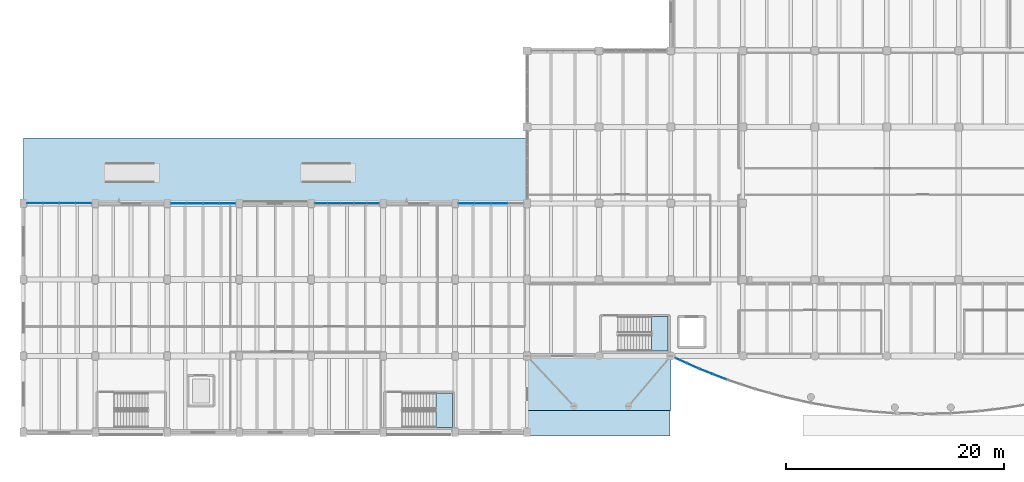
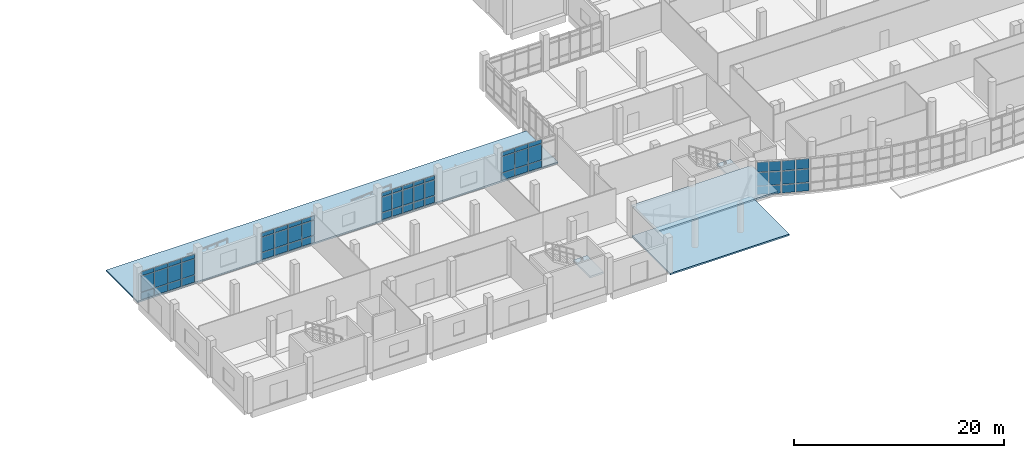
# One storey, part 33 of 69: 60 plates, 5 slabs, 8 elements without a shape of their own.
"""IFC4 building model written with IfcOpenShell, lengths in metres."""

from ifc_helpers import new_model, si_unit, direction, frame, origin, origin_2d, place, context, subcontext, project, spatial, polyline, rectangle, outline, extrude, material, layer, layer_set, type_object, element, aggregate, save


model = new_model("IFC4")

# Units and contexts
model_context = context("Model", 3, precision=1e-05, world=origin(), true_north=direction((0.0, 1.0)))
body_context = subcontext(model_context, "Body", "Model", "MODEL_VIEW")
ifc_project = project(units=[si_unit("LENGTHUNIT", "METRE"), si_unit("AREAUNIT", "SQUARE_METRE"), si_unit("VOLUMEUNIT", "CUBIC_METRE"), si_unit("PLANEANGLEUNIT", "RADIAN"), si_unit("MASSUNIT", "GRAM", prefix="KILO")], contexts=[model_context])

# Site, building, storey
site_placement = place(None, origin())
site = spatial("IfcSite", under=ifc_project, at=site_placement, CompositionType="ELEMENT")
building_placement = place(site_placement, origin())
building = spatial("IfcBuilding", under=site, at=building_placement, Name="Ciguamira Faculty of Natural Sciences", CompositionType="ELEMENT")
storey_placement = place(building_placement, origin())
storey = spatial("IfcBuildingStorey", under=building, at=storey_placement, Name="L00", CompositionType="ELEMENT", Elevation=0.0)

# Curtain wall, plates
ifc_material_1 = material(Name="Anodized aluminium curtain wall", Category="aluminium")
curtain_wall_type_1 = type_object("IfcCurtainWallType", Name="CurtainWall_CW-01", PredefinedType="USERDEFINED", material=ifc_material_1)
curtain_wall_1_placement = place(storey_placement, origin())
curtain_wall_1 = element("IfcCurtainWall", 1, at=curtain_wall_1_placement, inside=storey, type_object=curtain_wall_type_1, Name="L00 unitised curtain wall 0001", ObjectType="UNITISED CURTAIN WALL", PredefinedType="USERDEFINED")
ifc_material_2 = material(Name="Low-E laminated solar glass", Category="glass")
ifc_layer_1 = layer(ifc_material_2, 0.028076171875, Name="Low-E laminated solar glass")
ifc_layer_set_1 = layer_set([ifc_layer_1], Name="Low-E laminated solar glass")
plate_type_1 = type_object("IfcPlateType", Name="CWPanel_CWP-01", PredefinedType="CURTAIN_PANEL", material=ifc_layer_set_1)
plate_1_placement = place(storey_placement, frame((5.56494140625, 24.0, 0.06005859375), z_axis=(0.0, 0.0, 1.0), x_axis=(1.0, 0.0, 0.0)))
plate_1 = element("IfcPlate", 2, at=plate_1_placement, type_object=plate_type_1, Name="CW-01 panel 1.1", PredefinedType="CURTAIN_PANEL", context=body_context, shape_type="SweptSolid", body=[
    extrude(rectangle(XDim=1.409912109375, YDim=0.028076171875, at=origin_2d()), origin(), (0.0, 0.0, 1.0), 0.81005859375),
])
plate_2_placement = place(storey_placement, frame((5.56494140625, 24.0, 0.929931640625), z_axis=(0.0, 0.0, 1.0), x_axis=(1.0, 0.0, 0.0)))
plate_2 = element("IfcPlate", 3, at=plate_2_placement, type_object=plate_type_1, Name="CW-01 panel 1.2", PredefinedType="CURTAIN_PANEL", context=body_context, shape_type="SweptSolid", body=[
    extrude(rectangle(XDim=1.409912109375, YDim=0.028076171875, at=origin_2d()), origin(), (0.0, 0.0, 1.0), 1.8349609375),
])
plate_3_placement = place(storey_placement, frame((5.56494140625, 24.0, 2.824951171875), z_axis=(0.0, 0.0, 1.0), x_axis=(1.0, 0.0, 0.0)))
plate_3 = element("IfcPlate", 4, at=plate_3_placement, type_object=plate_type_1, Name="CW-01 panel 1.3", PredefinedType="CURTAIN_PANEL", context=body_context, shape_type="SweptSolid", body=[
    extrude(rectangle(XDim=1.409912109375, YDim=0.028076171875, at=origin_2d()), origin(), (0.0, 0.0, 1.0), 0.4599609375),
])
plate_4_placement = place(storey_placement, frame((7.050048828125, 24.0, 0.06005859375), z_axis=(0.0, 0.0, 1.0), x_axis=(1.0, 0.0, 0.0)))
plate_4 = element("IfcPlate", 5, at=plate_4_placement, type_object=plate_type_1, Name="CW-01 panel 2.1", PredefinedType="CURTAIN_PANEL", context=body_context, shape_type="SweptSolid", body=[
    extrude(rectangle(XDim=1.43994140625, YDim=0.028076171875, at=origin_2d()), origin(), (0.0, 0.0, 1.0), 0.81005859375),
])
plate_5_placement = place(storey_placement, frame((7.050048828125, 24.0, 0.929931640625), z_axis=(0.0, 0.0, 1.0), x_axis=(1.0, 0.0, 0.0)))
plate_5 = element("IfcPlate", 6, at=plate_5_placement, type_object=plate_type_1, Name="CW-01 panel 2.2", PredefinedType="CURTAIN_PANEL", context=body_context, shape_type="SweptSolid", body=[
    extrude(rectangle(XDim=1.43994140625, YDim=0.028076171875, at=origin_2d()), origin(), (0.0, 0.0, 1.0), 1.8349609375),
])
plate_6_placement = place(storey_placement, frame((7.050048828125, 24.0, 2.824951171875), z_axis=(0.0, 0.0, 1.0), x_axis=(1.0, 0.0, 0.0)))
plate_6 = element("IfcPlate", 7, at=plate_6_placement, type_object=plate_type_1, Name="CW-01 panel 2.3", PredefinedType="CURTAIN_PANEL", context=body_context, shape_type="SweptSolid", body=[
    extrude(rectangle(XDim=1.43994140625, YDim=0.028076171875, at=origin_2d()), origin(), (0.0, 0.0, 1.0), 0.4599609375),
])
plate_7_placement = place(storey_placement, frame((8.550048828125, 24.0, 0.06005859375), z_axis=(0.0, 0.0, 1.0), x_axis=(1.0, 0.0, 0.0)))
plate_7 = element("IfcPlate", 8, at=plate_7_placement, type_object=plate_type_1, Name="CW-01 panel 3.1", PredefinedType="CURTAIN_PANEL", context=body_context, shape_type="SweptSolid", body=[
    extrude(rectangle(XDim=1.43994140625, YDim=0.028076171875, at=origin_2d()), origin(), (0.0, 0.0, 1.0), 0.81005859375),
])
plate_8_placement = place(storey_placement, frame((8.550048828125, 24.0, 0.929931640625), z_axis=(0.0, 0.0, 1.0), x_axis=(1.0, 0.0, 0.0)))
plate_8 = element("IfcPlate", 9, at=plate_8_placement, type_object=plate_type_1, Name="CW-01 panel 3.2", PredefinedType="CURTAIN_PANEL", context=body_context, shape_type="SweptSolid", body=[
    extrude(rectangle(XDim=1.43994140625, YDim=0.028076171875, at=origin_2d()), origin(), (0.0, 0.0, 1.0), 1.8349609375),
])
plate_9_placement = place(storey_placement, frame((8.550048828125, 24.0, 2.824951171875), z_axis=(0.0, 0.0, 1.0), x_axis=(1.0, 0.0, 0.0)))
plate_9 = element("IfcPlate", 10, at=plate_9_placement, type_object=plate_type_1, Name="CW-01 panel 3.3", PredefinedType="CURTAIN_PANEL", context=body_context, shape_type="SweptSolid", body=[
    extrude(rectangle(XDim=1.43994140625, YDim=0.028076171875, at=origin_2d()), origin(), (0.0, 0.0, 1.0), 0.4599609375),
])
plate_10_placement = place(storey_placement, frame((10.034912109375, 24.0, 0.06005859375), z_axis=(0.0, 0.0, 1.0), x_axis=(1.0, 0.0, 0.0)))
plate_10 = element("IfcPlate", 11, at=plate_10_placement, type_object=plate_type_1, Name="CW-01 panel 4.1", PredefinedType="CURTAIN_PANEL", context=body_context, shape_type="SweptSolid", body=[
    extrude(rectangle(XDim=1.409912109375, YDim=0.028076171875, at=origin_2d()), origin(), (0.0, 0.0, 1.0), 0.81005859375),
])
plate_11_placement = place(storey_placement, frame((10.034912109375, 24.0, 0.929931640625), z_axis=(0.0, 0.0, 1.0), x_axis=(1.0, 0.0, 0.0)))
plate_11 = element("IfcPlate", 12, at=plate_11_placement, type_object=plate_type_1, Name="CW-01 panel 4.2", PredefinedType="CURTAIN_PANEL", context=body_context, shape_type="SweptSolid", body=[
    extrude(rectangle(XDim=1.409912109375, YDim=0.028076171875, at=origin_2d()), origin(), (0.0, 0.0, 1.0), 1.8349609375),
])
plate_12_placement = place(storey_placement, frame((10.034912109375, 24.0, 2.824951171875), z_axis=(0.0, 0.0, 1.0), x_axis=(1.0, 0.0, 0.0)))
plate_12 = element("IfcPlate", 13, at=plate_12_placement, type_object=plate_type_1, Name="CW-01 panel 4.3", PredefinedType="CURTAIN_PANEL", context=body_context, shape_type="SweptSolid", body=[
    extrude(rectangle(XDim=1.409912109375, YDim=0.028076171875, at=origin_2d()), origin(), (0.0, 0.0, 1.0), 0.4599609375),
])
aggregate(curtain_wall_1, [plate_1, plate_2, plate_3, plate_4, plate_5, plate_6, plate_7, plate_8, plate_9, plate_10, plate_11, plate_12])

curtain_wall_type_2 = type_object("IfcCurtainWallType", Name="CurtainWall_CW-03", PredefinedType="USERDEFINED", material=ifc_material_1)
curtain_wall_2_placement = place(storey_placement, origin())
curtain_wall_2 = element("IfcCurtainWall", 14, at=curtain_wall_2_placement, inside=storey, type_object=curtain_wall_type_2, Name="L00 unitised curtain wall 0003", ObjectType="UNITISED CURTAIN WALL", PredefinedType="USERDEFINED")
plate_13_placement = place(storey_placement, frame((31.820068359375, 24.0, 0.080078125), z_axis=(0.0, 0.0, 1.0), x_axis=(1.0, 0.0, 0.0)))
plate_13 = element("IfcPlate", 15, at=plate_13_placement, type_object=plate_type_1, Name="CW-03 panel 1.1", PredefinedType="CURTAIN_PANEL", context=body_context, shape_type="SweptSolid", body=[
    extrude(rectangle(XDim=1.080078125, YDim=0.028076171875, at=origin_2d()), origin(), (0.0, 0.0, 1.0), 0.780029296875),
])
plate_14_placement = place(storey_placement, frame((31.820068359375, 24.0, 0.93994140625), z_axis=(0.0, 0.0, 1.0), x_axis=(1.0, 0.0, 0.0)))
plate_14 = element("IfcPlate", 16, at=plate_14_placement, type_object=plate_type_1, Name="CW-03 panel 1.2", PredefinedType="CURTAIN_PANEL", context=body_context, shape_type="SweptSolid", body=[
    extrude(rectangle(XDim=1.080078125, YDim=0.028076171875, at=origin_2d()), origin(), (0.0, 0.0, 1.0), 1.7548828125),
])
plate_15_placement = place(storey_placement, frame((31.820068359375, 24.0, 2.77490234375), z_axis=(0.0, 0.0, 1.0), x_axis=(1.0, 0.0, 0.0)))
plate_15 = element("IfcPlate", 17, at=plate_15_placement, type_object=plate_type_1, Name="CW-03 panel 1.3", PredefinedType="CURTAIN_PANEL", context=body_context, shape_type="SweptSolid", body=[
    extrude(rectangle(XDim=1.080078125, YDim=0.028076171875, at=origin_2d()), origin(), (0.0, 0.0, 1.0), 0.429931640625),
])
plate_16_placement = place(storey_placement, frame((33.0, 24.0, 0.080078125), z_axis=(0.0, 0.0, 1.0), x_axis=(1.0, 0.0, 0.0)))
plate_16 = element("IfcPlate", 18, at=plate_16_placement, type_object=plate_type_1, Name="CW-03 panel 2.1", PredefinedType="CURTAIN_PANEL", context=body_context, shape_type="SweptSolid", body=[
    extrude(rectangle(XDim=1.1201171875, YDim=0.028076171875, at=origin_2d()), origin(), (0.0, 0.0, 1.0), 0.780029296875),
])
plate_17_placement = place(storey_placement, frame((33.0, 24.0, 0.93994140625), z_axis=(0.0, 0.0, 1.0), x_axis=(1.0, 0.0, 0.0)))
plate_17 = element("IfcPlate", 19, at=plate_17_placement, type_object=plate_type_1, Name="CW-03 panel 2.2", PredefinedType="CURTAIN_PANEL", context=body_context, shape_type="SweptSolid", body=[
    extrude(rectangle(XDim=1.1201171875, YDim=0.028076171875, at=origin_2d()), origin(), (0.0, 0.0, 1.0), 1.7548828125),
])
plate_18_placement = place(storey_placement, frame((33.0, 24.0, 2.77490234375), z_axis=(0.0, 0.0, 1.0), x_axis=(1.0, 0.0, 0.0)))
plate_18 = element("IfcPlate", 20, at=plate_18_placement, type_object=plate_type_1, Name="CW-03 panel 2.3", PredefinedType="CURTAIN_PANEL", context=body_context, shape_type="SweptSolid", body=[
    extrude(rectangle(XDim=1.1201171875, YDim=0.028076171875, at=origin_2d()), origin(), (0.0, 0.0, 1.0), 0.429931640625),
])
plate_19_placement = place(storey_placement, frame((34.199951171875, 24.0, 0.080078125), z_axis=(0.0, 0.0, 1.0), x_axis=(1.0, 0.0, 0.0)))
plate_19 = element("IfcPlate", 21, at=plate_19_placement, type_object=plate_type_1, Name="CW-03 panel 3.1", PredefinedType="CURTAIN_PANEL", context=body_context, shape_type="SweptSolid", body=[
    extrude(rectangle(XDim=1.1201171875, YDim=0.028076171875, at=origin_2d()), origin(), (0.0, 0.0, 1.0), 0.780029296875),
])
plate_20_placement = place(storey_placement, frame((34.199951171875, 24.0, 0.93994140625), z_axis=(0.0, 0.0, 1.0), x_axis=(1.0, 0.0, 0.0)))
plate_20 = element("IfcPlate", 22, at=plate_20_placement, type_object=plate_type_1, Name="CW-03 panel 3.2", PredefinedType="CURTAIN_PANEL", context=body_context, shape_type="SweptSolid", body=[
    extrude(rectangle(XDim=1.1201171875, YDim=0.028076171875, at=origin_2d()), origin(), (0.0, 0.0, 1.0), 1.7548828125),
])
plate_21_placement = place(storey_placement, frame((34.199951171875, 24.0, 2.77490234375), z_axis=(0.0, 0.0, 1.0), x_axis=(1.0, 0.0, 0.0)))
plate_21 = element("IfcPlate", 23, at=plate_21_placement, type_object=plate_type_1, Name="CW-03 panel 3.3", PredefinedType="CURTAIN_PANEL", context=body_context, shape_type="SweptSolid", body=[
    extrude(rectangle(XDim=1.1201171875, YDim=0.028076171875, at=origin_2d()), origin(), (0.0, 0.0, 1.0), 0.429931640625),
])
plate_22_placement = place(storey_placement, frame((35.39990234375, 24.0, 0.080078125), z_axis=(0.0, 0.0, 1.0), x_axis=(1.0, 0.0, 0.0)))
plate_22 = element("IfcPlate", 24, at=plate_22_placement, type_object=plate_type_1, Name="CW-03 panel 4.1", PredefinedType="CURTAIN_PANEL", context=body_context, shape_type="SweptSolid", body=[
    extrude(rectangle(XDim=1.1201171875, YDim=0.028076171875, at=origin_2d()), origin(), (0.0, 0.0, 1.0), 0.780029296875),
])
plate_23_placement = place(storey_placement, frame((35.39990234375, 24.0, 0.93994140625), z_axis=(0.0, 0.0, 1.0), x_axis=(1.0, 0.0, 0.0)))
plate_23 = element("IfcPlate", 25, at=plate_23_placement, type_object=plate_type_1, Name="CW-03 panel 4.2", PredefinedType="CURTAIN_PANEL", context=body_context, shape_type="SweptSolid", body=[
    extrude(rectangle(XDim=1.1201171875, YDim=0.028076171875, at=origin_2d()), origin(), (0.0, 0.0, 1.0), 1.7548828125),
])
plate_24_placement = place(storey_placement, frame((35.39990234375, 24.0, 2.77490234375), z_axis=(0.0, 0.0, 1.0), x_axis=(1.0, 0.0, 0.0)))
plate_24 = element("IfcPlate", 26, at=plate_24_placement, type_object=plate_type_1, Name="CW-03 panel 4.3", PredefinedType="CURTAIN_PANEL", context=body_context, shape_type="SweptSolid", body=[
    extrude(rectangle(XDim=1.1201171875, YDim=0.028076171875, at=origin_2d()), origin(), (0.0, 0.0, 1.0), 0.429931640625),
])
plate_25_placement = place(storey_placement, frame((36.580078125, 24.0, 0.080078125), z_axis=(0.0, 0.0, 1.0), x_axis=(1.0, 0.0, 0.0)))
plate_25 = element("IfcPlate", 27, at=plate_25_placement, type_object=plate_type_1, Name="CW-03 panel 5.1", PredefinedType="CURTAIN_PANEL", context=body_context, shape_type="SweptSolid", body=[
    extrude(rectangle(XDim=1.080078125, YDim=0.028076171875, at=origin_2d()), origin(), (0.0, 0.0, 1.0), 0.780029296875),
])
plate_26_placement = place(storey_placement, frame((36.580078125, 24.0, 0.93994140625), z_axis=(0.0, 0.0, 1.0), x_axis=(1.0, 0.0, 0.0)))
plate_26 = element("IfcPlate", 28, at=plate_26_placement, type_object=plate_type_1, Name="CW-03 panel 5.2", PredefinedType="CURTAIN_PANEL", context=body_context, shape_type="SweptSolid", body=[
    extrude(rectangle(XDim=1.080078125, YDim=0.028076171875, at=origin_2d()), origin(), (0.0, 0.0, 1.0), 1.7548828125),
])
plate_27_placement = place(storey_placement, frame((36.580078125, 24.0, 2.77490234375), z_axis=(0.0, 0.0, 1.0), x_axis=(1.0, 0.0, 0.0)))
plate_27 = element("IfcPlate", 29, at=plate_27_placement, type_object=plate_type_1, Name="CW-03 panel 5.3", PredefinedType="CURTAIN_PANEL", context=body_context, shape_type="SweptSolid", body=[
    extrude(rectangle(XDim=1.080078125, YDim=0.028076171875, at=origin_2d()), origin(), (0.0, 0.0, 1.0), 0.429931640625),
])
aggregate(curtain_wall_2, [plate_13, plate_14, plate_15, plate_16, plate_17, plate_18, plate_19, plate_20, plate_21, plate_22, plate_23, plate_24, plate_25, plate_26, plate_27])

curtain_wall_type_3 = type_object("IfcCurtainWallType", Name="CurtainWall_CW-07", PredefinedType="USERDEFINED", material=ifc_material_1)
curtain_wall_3_placement = place(storey_placement, origin())
curtain_wall_3 = element("IfcCurtainWall", 30, at=curtain_wall_3_placement, inside=storey, type_object=curtain_wall_type_3, Name="L00 south gallery curved curtain wall 01", ObjectType="UNITISED CURTAIN WALL", PredefinedType="USERDEFINED")
plate_28_placement = place(storey_placement, frame((64.8466796875, 9.5703125, 0.080078125), z_axis=(0.0, 0.0, 1.0), x_axis=(0.910580503774, -0.41333176281, 0.0)))
plate_28 = element("IfcPlate", 31, at=plate_28_placement, type_object=plate_type_1, Name="CW-07 panel 1.1", PredefinedType="CURTAIN_PANEL", context=body_context, shape_type="SweptSolid", body=[
    extrude(rectangle(XDim=1.079345703125, YDim=0.028076171875, at=origin_2d()), origin(), (0.0, 0.0, 1.0), 0.929931640625),
])
plate_29_placement = place(storey_placement, frame((64.8466796875, 9.5703125, 1.090087890625), z_axis=(0.0, 0.0, 1.0), x_axis=(0.910580503774, -0.41333176281, 0.0)))
plate_29 = element("IfcPlate", 32, at=plate_29_placement, type_object=plate_type_1, Name="CW-07 panel 1.2", PredefinedType="CURTAIN_PANEL", context=body_context, shape_type="SweptSolid", body=[
    extrude(rectangle(XDim=1.079345703125, YDim=0.028076171875, at=origin_2d()), origin(), (0.0, 0.0, 1.0), 1.52001953125),
])
plate_30_placement = place(storey_placement, frame((64.8466796875, 9.5703125, 2.68994140625), z_axis=(0.0, 0.0, 1.0), x_axis=(0.910580503774, -0.41333176281, 0.0)))
plate_30 = element("IfcPlate", 33, at=plate_30_placement, type_object=plate_type_1, Name="CW-07 panel 1.3", PredefinedType="CURTAIN_PANEL", context=body_context, shape_type="SweptSolid", body=[
    extrude(rectangle(XDim=1.079345703125, YDim=0.028076171875, at=origin_2d()), origin(), (0.0, 0.0, 1.0), 1.1298828125),
])
plate_31_placement = place(storey_placement, frame((65.90234375, 9.091064453125, 0.080078125), z_axis=(0.0, 0.0, 1.0), x_axis=(0.910580503774, -0.41333176281, 0.0)))
plate_31 = element("IfcPlate", 34, at=plate_31_placement, type_object=plate_type_1, Name="CW-07 panel 2.1", PredefinedType="CURTAIN_PANEL", context=body_context, shape_type="SweptSolid", body=[
    extrude(rectangle(XDim=1.079345703125, YDim=0.028076171875, at=origin_2d()), origin(), (0.0, 0.0, 1.0), 0.929931640625),
])
plate_32_placement = place(storey_placement, frame((65.90234375, 9.091064453125, 1.090087890625), z_axis=(0.0, 0.0, 1.0), x_axis=(0.910580503774, -0.41333176281, 0.0)))
plate_32 = element("IfcPlate", 35, at=plate_32_placement, type_object=plate_type_1, Name="CW-07 panel 2.2", PredefinedType="CURTAIN_PANEL", context=body_context, shape_type="SweptSolid", body=[
    extrude(rectangle(XDim=1.079345703125, YDim=0.028076171875, at=origin_2d()), origin(), (0.0, 0.0, 1.0), 1.52001953125),
])
plate_33_placement = place(storey_placement, frame((65.90234375, 9.091064453125, 2.68994140625), z_axis=(0.0, 0.0, 1.0), x_axis=(0.910580503774, -0.41333176281, 0.0)))
plate_33 = element("IfcPlate", 36, at=plate_33_placement, type_object=plate_type_1, Name="CW-07 panel 2.3", PredefinedType="CURTAIN_PANEL", context=body_context, shape_type="SweptSolid", body=[
    extrude(rectangle(XDim=1.079345703125, YDim=0.028076171875, at=origin_2d()), origin(), (0.0, 0.0, 1.0), 1.1298828125),
])
aggregate(curtain_wall_3, [plate_28, plate_29, plate_30, plate_31, plate_32, plate_33])

curtain_wall_type_4 = type_object("IfcCurtainWallType", Name="CurtainWall_CW-08", PredefinedType="USERDEFINED", material=ifc_material_1)
curtain_wall_4_placement = place(storey_placement, origin())
curtain_wall_4 = element("IfcCurtainWall", 37, at=curtain_wall_4_placement, inside=storey, type_object=curtain_wall_type_4, Name="L00 south gallery curved curtain wall 02", ObjectType="UNITISED CURTAIN WALL", PredefinedType="USERDEFINED")
plate_34_placement = place(storey_placement, frame((67.126953125, 8.576171875, 0.080078125), z_axis=(0.0, 0.0, 1.0), x_axis=(0.931122296337, -0.36470710065, 0.0)))
plate_34 = element("IfcPlate", 38, at=plate_34_placement, type_object=plate_type_1, Name="CW-08 panel 1.1", PredefinedType="CURTAIN_PANEL", context=body_context, shape_type="SweptSolid", body=[
    extrude(rectangle(XDim=1.25830078125, YDim=0.028076171875, at=origin_2d()), origin(), (0.0, 0.0, 1.0), 0.929931640625),
])
plate_35_placement = place(storey_placement, frame((67.126953125, 8.576171875, 1.090087890625), z_axis=(0.0, 0.0, 1.0), x_axis=(0.931122296337, -0.36470710065, 0.0)))
plate_35 = element("IfcPlate", 39, at=plate_35_placement, type_object=plate_type_1, Name="CW-08 panel 1.2", PredefinedType="CURTAIN_PANEL", context=body_context, shape_type="SweptSolid", body=[
    extrude(rectangle(XDim=1.25830078125, YDim=0.028076171875, at=origin_2d()), origin(), (0.0, 0.0, 1.0), 1.52001953125),
])
plate_36_placement = place(storey_placement, frame((67.126953125, 8.576171875, 2.68994140625), z_axis=(0.0, 0.0, 1.0), x_axis=(0.931122296337, -0.36470710065, 0.0)))
plate_36 = element("IfcPlate", 40, at=plate_36_placement, type_object=plate_type_1, Name="CW-08 panel 1.3", PredefinedType="CURTAIN_PANEL", context=body_context, shape_type="SweptSolid", body=[
    extrude(rectangle(XDim=1.25830078125, YDim=0.028076171875, at=origin_2d()), origin(), (0.0, 0.0, 1.0), 1.1298828125),
])
plate_37_placement = place(storey_placement, frame((68.373046875, 8.088134765625, 0.080078125), z_axis=(0.0, 0.0, 1.0), x_axis=(0.931122296337, -0.36470710065, 0.0)))
plate_37 = element("IfcPlate", 41, at=plate_37_placement, type_object=plate_type_1, Name="CW-08 panel 2.1", PredefinedType="CURTAIN_PANEL", context=body_context, shape_type="SweptSolid", body=[
    extrude(rectangle(XDim=1.25830078125, YDim=0.028076171875, at=origin_2d()), origin(), (0.0, 0.0, 1.0), 0.929931640625),
])
plate_38_placement = place(storey_placement, frame((68.373046875, 8.088134765625, 1.090087890625), z_axis=(0.0, 0.0, 1.0), x_axis=(0.931122296337, -0.36470710065, 0.0)))
plate_38 = element("IfcPlate", 42, at=plate_38_placement, type_object=plate_type_1, Name="CW-08 panel 2.2", PredefinedType="CURTAIN_PANEL", context=body_context, shape_type="SweptSolid", body=[
    extrude(rectangle(XDim=1.25830078125, YDim=0.028076171875, at=origin_2d()), origin(), (0.0, 0.0, 1.0), 1.52001953125),
])
plate_39_placement = place(storey_placement, frame((68.373046875, 8.088134765625, 2.68994140625), z_axis=(0.0, 0.0, 1.0), x_axis=(0.931122296337, -0.36470710065, 0.0)))
plate_39 = element("IfcPlate", 43, at=plate_39_placement, type_object=plate_type_1, Name="CW-08 panel 2.3", PredefinedType="CURTAIN_PANEL", context=body_context, shape_type="SweptSolid", body=[
    extrude(rectangle(XDim=1.25830078125, YDim=0.028076171875, at=origin_2d()), origin(), (0.0, 0.0, 1.0), 1.1298828125),
])
aggregate(curtain_wall_4, [plate_34, plate_35, plate_36, plate_37, plate_38, plate_39])

curtain_wall_type_5 = type_object("IfcCurtainWallType", Name="CurtainWall_CW-02", PredefinedType="USERDEFINED", material=ifc_material_1)
curtain_wall_5_placement = place(storey_placement, origin())
curtain_wall_5 = element("IfcCurtainWall", 44, at=curtain_wall_5_placement, inside=storey, type_object=curtain_wall_type_5, Name="L00 unitised curtain wall 0002", ObjectType="UNITISED CURTAIN WALL", PredefinedType="USERDEFINED")
ifc_layer_2 = layer(ifc_material_2, 0.035888671875, Name="Low-E laminated solar glass")
ifc_layer_set_2 = layer_set([ifc_layer_2], Name="Low-E laminated solar glass")
plate_type_2 = type_object("IfcPlateType", Name="CWPanel_CWP-02", PredefinedType="CURTAIN_PANEL", material=ifc_layer_set_2)
plate_40_placement = place(storey_placement, frame((18.767578125, 24.0, 0.070068359375), z_axis=(0.0, 0.0, 1.0), x_axis=(1.0, 0.0, 0.0)))
plate_40 = element("IfcPlate", 45, at=plate_40_placement, type_object=plate_type_2, Name="CW-02 panel 1.1", PredefinedType="CURTAIN_PANEL", context=body_context, shape_type="SweptSolid", body=[
    extrude(rectangle(XDim=1.39501953125, YDim=0.035888671875, at=origin_2d()), origin(), (0.0, 0.0, 1.0), 0.794921875),
])
plate_41_placement = place(storey_placement, frame((18.767578125, 24.0, 0.93505859375), z_axis=(0.0, 0.0, 1.0), x_axis=(1.0, 0.0, 0.0)))
plate_41 = element("IfcPlate", 46, at=plate_41_placement, type_object=plate_type_2, Name="CW-02 panel 1.2", PredefinedType="CURTAIN_PANEL", context=body_context, shape_type="SweptSolid", body=[
    extrude(rectangle(XDim=1.39501953125, YDim=0.035888671875, at=origin_2d()), origin(), (0.0, 0.0, 1.0), 1.715087890625),
])
plate_42_placement = place(storey_placement, frame((18.767578125, 24.0, 2.7197265625), z_axis=(0.0, 0.0, 1.0), x_axis=(1.0, 0.0, 0.0)))
plate_42 = element("IfcPlate", 47, at=plate_42_placement, type_object=plate_type_2, Name="CW-02 panel 1.3", PredefinedType="CURTAIN_PANEL", context=body_context, shape_type="SweptSolid", body=[
    extrude(rectangle(XDim=1.39501953125, YDim=0.035888671875, at=origin_2d()), origin(), (0.0, 0.0, 1.0), 0.445068359375),
])
plate_43_placement = place(storey_placement, frame((20.25, 24.0, 0.070068359375), z_axis=(0.0, 0.0, 1.0), x_axis=(1.0, 0.0, 0.0)))
plate_43 = element("IfcPlate", 48, at=plate_43_placement, type_object=plate_type_2, Name="CW-02 panel 2.1", PredefinedType="CURTAIN_PANEL", context=body_context, shape_type="SweptSolid", body=[
    extrude(rectangle(XDim=1.429931640625, YDim=0.035888671875, at=origin_2d()), origin(), (0.0, 0.0, 1.0), 0.794921875),
])
plate_44_placement = place(storey_placement, frame((20.25, 24.0, 0.93505859375), z_axis=(0.0, 0.0, 1.0), x_axis=(1.0, 0.0, 0.0)))
plate_44 = element("IfcPlate", 49, at=plate_44_placement, type_object=plate_type_2, Name="CW-02 panel 2.2", PredefinedType="CURTAIN_PANEL", context=body_context, shape_type="SweptSolid", body=[
    extrude(rectangle(XDim=1.429931640625, YDim=0.035888671875, at=origin_2d()), origin(), (0.0, 0.0, 1.0), 1.715087890625),
])
plate_45_placement = place(storey_placement, frame((20.25, 24.0, 2.7197265625), z_axis=(0.0, 0.0, 1.0), x_axis=(1.0, 0.0, 0.0)))
plate_45 = element("IfcPlate", 50, at=plate_45_placement, type_object=plate_type_2, Name="CW-02 panel 2.3", PredefinedType="CURTAIN_PANEL", context=body_context, shape_type="SweptSolid", body=[
    extrude(rectangle(XDim=1.429931640625, YDim=0.035888671875, at=origin_2d()), origin(), (0.0, 0.0, 1.0), 0.445068359375),
])
plate_46_placement = place(storey_placement, frame((21.75, 24.0, 0.070068359375), z_axis=(0.0, 0.0, 1.0), x_axis=(1.0, 0.0, 0.0)))
plate_46 = element("IfcPlate", 51, at=plate_46_placement, type_object=plate_type_2, Name="CW-02 panel 3.1", PredefinedType="CURTAIN_PANEL", context=body_context, shape_type="SweptSolid", body=[
    extrude(rectangle(XDim=1.429931640625, YDim=0.035888671875, at=origin_2d()), origin(), (0.0, 0.0, 1.0), 0.794921875),
])
plate_47_placement = place(storey_placement, frame((21.75, 24.0, 0.93505859375), z_axis=(0.0, 0.0, 1.0), x_axis=(1.0, 0.0, 0.0)))
plate_47 = element("IfcPlate", 52, at=plate_47_placement, type_object=plate_type_2, Name="CW-02 panel 3.2", PredefinedType="CURTAIN_PANEL", context=body_context, shape_type="SweptSolid", body=[
    extrude(rectangle(XDim=1.429931640625, YDim=0.035888671875, at=origin_2d()), origin(), (0.0, 0.0, 1.0), 1.715087890625),
])
plate_48_placement = place(storey_placement, frame((21.75, 24.0, 2.7197265625), z_axis=(0.0, 0.0, 1.0), x_axis=(1.0, 0.0, 0.0)))
plate_48 = element("IfcPlate", 53, at=plate_48_placement, type_object=plate_type_2, Name="CW-02 panel 3.3", PredefinedType="CURTAIN_PANEL", context=body_context, shape_type="SweptSolid", body=[
    extrude(rectangle(XDim=1.429931640625, YDim=0.035888671875, at=origin_2d()), origin(), (0.0, 0.0, 1.0), 0.445068359375),
])
plate_49_placement = place(storey_placement, frame((23.232421875, 24.0, 0.070068359375), z_axis=(0.0, 0.0, 1.0), x_axis=(1.0, 0.0, 0.0)))
plate_49 = element("IfcPlate", 54, at=plate_49_placement, type_object=plate_type_2, Name="CW-02 panel 4.1", PredefinedType="CURTAIN_PANEL", context=body_context, shape_type="SweptSolid", body=[
    extrude(rectangle(XDim=1.39501953125, YDim=0.035888671875, at=origin_2d()), origin(), (0.0, 0.0, 1.0), 0.794921875),
])
plate_50_placement = place(storey_placement, frame((23.232421875, 24.0, 0.93505859375), z_axis=(0.0, 0.0, 1.0), x_axis=(1.0, 0.0, 0.0)))
plate_50 = element("IfcPlate", 55, at=plate_50_placement, type_object=plate_type_2, Name="CW-02 panel 4.2", PredefinedType="CURTAIN_PANEL", context=body_context, shape_type="SweptSolid", body=[
    extrude(rectangle(XDim=1.39501953125, YDim=0.035888671875, at=origin_2d()), origin(), (0.0, 0.0, 1.0), 1.715087890625),
])
plate_51_placement = place(storey_placement, frame((23.232421875, 24.0, 2.7197265625), z_axis=(0.0, 0.0, 1.0), x_axis=(1.0, 0.0, 0.0)))
plate_51 = element("IfcPlate", 56, at=plate_51_placement, type_object=plate_type_2, Name="CW-02 panel 4.3", PredefinedType="CURTAIN_PANEL", context=body_context, shape_type="SweptSolid", body=[
    extrude(rectangle(XDim=1.39501953125, YDim=0.035888671875, at=origin_2d()), origin(), (0.0, 0.0, 1.0), 0.445068359375),
])
aggregate(curtain_wall_5, [plate_40, plate_41, plate_42, plate_43, plate_44, plate_45, plate_46, plate_47, plate_48, plate_49, plate_50, plate_51])

curtain_wall_type_6 = type_object("IfcCurtainWallType", Name="CurtainWall_CW-04", PredefinedType="USERDEFINED", material=ifc_material_1)
curtain_wall_6_placement = place(storey_placement, origin())
curtain_wall_6 = element("IfcCurtainWall", 57, at=curtain_wall_6_placement, inside=storey, type_object=curtain_wall_type_6, Name="L00 unitised curtain wall 0004", ObjectType="UNITISED CURTAIN WALL", PredefinedType="USERDEFINED")
plate_52_placement = place(storey_placement, frame((45.1650390625, 24.0, 0.06005859375), z_axis=(0.0, 0.0, 1.0), x_axis=(1.0, 0.0, 0.0)))
plate_52 = element("IfcPlate", 58, at=plate_52_placement, type_object=plate_type_2, Name="CW-04 panel 1.1", PredefinedType="CURTAIN_PANEL", context=body_context, shape_type="SweptSolid", body=[
    extrude(rectangle(XDim=1.409912109375, YDim=0.035888671875, at=origin_2d()), origin(), (0.0, 0.0, 1.0), 0.81005859375),
])
plate_53_placement = place(storey_placement, frame((45.1650390625, 24.0, 0.929931640625), z_axis=(0.0, 0.0, 1.0), x_axis=(1.0, 0.0, 0.0)))
plate_53 = element("IfcPlate", 59, at=plate_53_placement, type_object=plate_type_2, Name="CW-04 panel 1.2", PredefinedType="CURTAIN_PANEL", context=body_context, shape_type="SweptSolid", body=[
    extrude(rectangle(XDim=1.409912109375, YDim=0.035888671875, at=origin_2d()), origin(), (0.0, 0.0, 1.0), 1.85498046875),
])
plate_54_placement = place(storey_placement, frame((45.1650390625, 24.0, 2.844970703125), z_axis=(0.0, 0.0, 1.0), x_axis=(1.0, 0.0, 0.0)))
plate_54 = element("IfcPlate", 60, at=plate_54_placement, type_object=plate_type_2, Name="CW-04 panel 1.3", PredefinedType="CURTAIN_PANEL", context=body_context, shape_type="SweptSolid", body=[
    extrude(rectangle(XDim=1.409912109375, YDim=0.035888671875, at=origin_2d()), origin(), (0.0, 0.0, 1.0), 0.4599609375),
])
plate_55_placement = place(storey_placement, frame((46.64990234375, 24.0, 0.06005859375), z_axis=(0.0, 0.0, 1.0), x_axis=(1.0, 0.0, 0.0)))
plate_55 = element("IfcPlate", 61, at=plate_55_placement, type_object=plate_type_2, Name="CW-04 panel 2.1", PredefinedType="CURTAIN_PANEL", context=body_context, shape_type="SweptSolid", body=[
    extrude(rectangle(XDim=1.43994140625, YDim=0.035888671875, at=origin_2d()), origin(), (0.0, 0.0, 1.0), 0.81005859375),
])
plate_56_placement = place(storey_placement, frame((46.64990234375, 24.0, 0.929931640625), z_axis=(0.0, 0.0, 1.0), x_axis=(1.0, 0.0, 0.0)))
plate_56 = element("IfcPlate", 62, at=plate_56_placement, type_object=plate_type_2, Name="CW-04 panel 2.2", PredefinedType="CURTAIN_PANEL", context=body_context, shape_type="SweptSolid", body=[
    extrude(rectangle(XDim=1.43994140625, YDim=0.035888671875, at=origin_2d()), origin(), (0.0, 0.0, 1.0), 1.85498046875),
])
plate_57_placement = place(storey_placement, frame((46.64990234375, 24.0, 2.844970703125), z_axis=(0.0, 0.0, 1.0), x_axis=(1.0, 0.0, 0.0)))
plate_57 = element("IfcPlate", 63, at=plate_57_placement, type_object=plate_type_2, Name="CW-04 panel 2.3", PredefinedType="CURTAIN_PANEL", context=body_context, shape_type="SweptSolid", body=[
    extrude(rectangle(XDim=1.43994140625, YDim=0.035888671875, at=origin_2d()), origin(), (0.0, 0.0, 1.0), 0.4599609375),
])
plate_58_placement = place(storey_placement, frame((48.14990234375, 24.0, 0.06005859375), z_axis=(0.0, 0.0, 1.0), x_axis=(1.0, 0.0, 0.0)))
plate_58 = element("IfcPlate", 64, at=plate_58_placement, type_object=plate_type_2, Name="CW-04 panel 3.1", PredefinedType="CURTAIN_PANEL", context=body_context, shape_type="SweptSolid", body=[
    extrude(rectangle(XDim=1.43994140625, YDim=0.035888671875, at=origin_2d()), origin(), (0.0, 0.0, 1.0), 0.81005859375),
])
plate_59_placement = place(storey_placement, frame((48.14990234375, 24.0, 0.929931640625), z_axis=(0.0, 0.0, 1.0), x_axis=(1.0, 0.0, 0.0)))
plate_59 = element("IfcPlate", 65, at=plate_59_placement, type_object=plate_type_2, Name="CW-04 panel 3.2", PredefinedType="CURTAIN_PANEL", context=body_context, shape_type="SweptSolid", body=[
    extrude(rectangle(XDim=1.43994140625, YDim=0.035888671875, at=origin_2d()), origin(), (0.0, 0.0, 1.0), 1.85498046875),
])
plate_60_placement = place(storey_placement, frame((48.14990234375, 24.0, 2.844970703125), z_axis=(0.0, 0.0, 1.0), x_axis=(1.0, 0.0, 0.0)))
plate_60 = element("IfcPlate", 66, at=plate_60_placement, type_object=plate_type_2, Name="CW-04 panel 3.3", PredefinedType="CURTAIN_PANEL", context=body_context, shape_type="SweptSolid", body=[
    extrude(rectangle(XDim=1.43994140625, YDim=0.035888671875, at=origin_2d()), origin(), (0.0, 0.0, 1.0), 0.4599609375),
])
aggregate(curtain_wall_6, [plate_52, plate_53, plate_54, plate_55, plate_56, plate_57, plate_58, plate_59, plate_60])

# Slabs
ifc_material_3 = material(Name="Precast concrete C35/45", Category="concrete")
ifc_layer_3 = layer(ifc_material_3, 0.179931640625, Name="Precast concrete C35/45")
ifc_layer_set_3 = layer_set([ifc_layer_3], Name="Precast concrete C35/45")
slab_type_1 = type_object("IfcSlabType", Name="PavingSlab_PV01", PredefinedType="BASESLAB", material=ifc_layer_set_3)
slab_1_placement = place(storey_placement, frame((0.0, 0.0, -0.179931640625)))
element("IfcSlab", 67, at=slab_1_placement, inside=storey, type_object=slab_type_1, Name="South Escarpment Arrival Plaza", PredefinedType="BASESLAB", context=body_context, shape_type="SweptSolid", body=[
    extrude(outline(polyline([(50.699951171875, 2.64990234375), (63.800048828125, 2.64990234375), (63.800048828125, 9.89990234375), (50.699951171875, 9.89990234375), (50.699951171875, 2.64990234375)])), origin(), (0.0, 0.0, 1.0), 0.179931640625),
])
slab_2_placement = place(storey_placement, frame((0.0, 0.0, -0.179931640625)))
element("IfcSlab", 68, at=slab_2_placement, inside=storey, type_object=slab_type_1, Name="West Commons Forecourt Walk", PredefinedType="BASESLAB", context=body_context, shape_type="SweptSolid", body=[
    extrude(outline(polyline([(4.5, 24.0), (50.699951171875, 24.0), (50.699951171875, 30.0), (4.5, 30.0), (4.5, 24.0)])), origin(), (0.0, 0.0, 1.0), 0.179931640625),
])
ifc_material_4 = material(Name="Concrete C40/50", Category="concrete")
ifc_layer_4 = layer(ifc_material_4, 0.179931640625, Name="Concrete C40/50")
ifc_layer_set_4 = layer_set([ifc_layer_4], Name="Concrete C40/50")
slab_type_2 = type_object("IfcSlabType", Name="Slab_SR-01_180", PredefinedType="ROOF", material=ifc_layer_set_4)
slab_3_placement = place(storey_placement, frame((0.0, 0.0, 3.320068359375)))
element("IfcSlab", 69, at=slab_3_placement, inside=storey, type_object=slab_type_2, Name="South Escarpment Arrival Canopy Slab", PredefinedType="ROOF", context=body_context, shape_type="SweptSolid", body=[
    extrude(outline(polyline([(50.699951171875, 5.0), (63.89990234375, 5.0), (63.89990234375, 10.0), (50.699951171875, 10.0), (50.699951171875, 5.0)])), origin(), (0.0, 0.0, 1.0), 0.179931640625),
])

# Stair, slab
stair_type_1 = type_object("IfcStairType", Name="Stair_STR-01", PredefinedType="HALF_TURN_STAIR", material=ifc_material_4)
stair_1_placement = place(storey_placement, origin())
stair_1 = element("IfcStair", 70, at=stair_1_placement, inside=storey, type_object=stair_type_1, Name="L00 Atrium West Exit Stair", PredefinedType="HALF_TURN_STAIR")
ifc_layer_5 = layer(ifc_material_4, 0.199951171875, Name="Concrete C40/50")
ifc_layer_set_5 = layer_set([ifc_layer_5], Name="Concrete C40/50")
slab_type_3 = type_object("IfcSlabType", Name="StairLanding_SLD01", PredefinedType="LANDING", material=ifc_layer_set_5)
slab_4_placement = place(storey_placement, frame((0.0, 0.0, 1.89990234375)))
slab_4 = element("IfcSlab", 71, at=slab_4_placement, type_object=slab_type_3, Name="ST-A1 landing 1", PredefinedType="LANDING", context=body_context, shape_type="SweptSolid", body=[
    extrude(outline(polyline([(62.139892578125, 10.449951171875), (63.64990234375, 10.449951171875), (63.64990234375, 13.610107421875), (62.139892578125, 13.610107421875), (62.139892578125, 10.449951171875)])), origin(), (0.0, 0.0, 1.0), 0.2001953125),
])
aggregate(stair_1, [slab_4])

stair_type_2 = type_object("IfcStairType", Name="Stair_STR-02", PredefinedType="HALF_TURN_STAIR", material=ifc_material_4)
stair_2_placement = place(storey_placement, origin())
stair_2 = element("IfcStair", 72, at=stair_2_placement, inside=storey, type_object=stair_type_2, Name="L00 Commons East Exit Stair", PredefinedType="HALF_TURN_STAIR")
slab_5_placement = place(storey_placement, frame((0.0, 0.0, 1.89990234375)))
slab_5 = element("IfcSlab", 73, at=slab_5_placement, type_object=slab_type_3, Name="ST-C2 landing 1", PredefinedType="LANDING", context=body_context, shape_type="SweptSolid", body=[
    extrude(outline(polyline([(42.340087890625, 3.449951171875), (43.85009765625, 3.449951171875), (43.85009765625, 6.610107421875), (42.340087890625, 6.610107421875), (42.340087890625, 3.449951171875)])), origin(), (0.0, 0.0, 1.0), 0.2001953125),
])
aggregate(stair_2, [slab_5])

save(model, "model.ifc")
